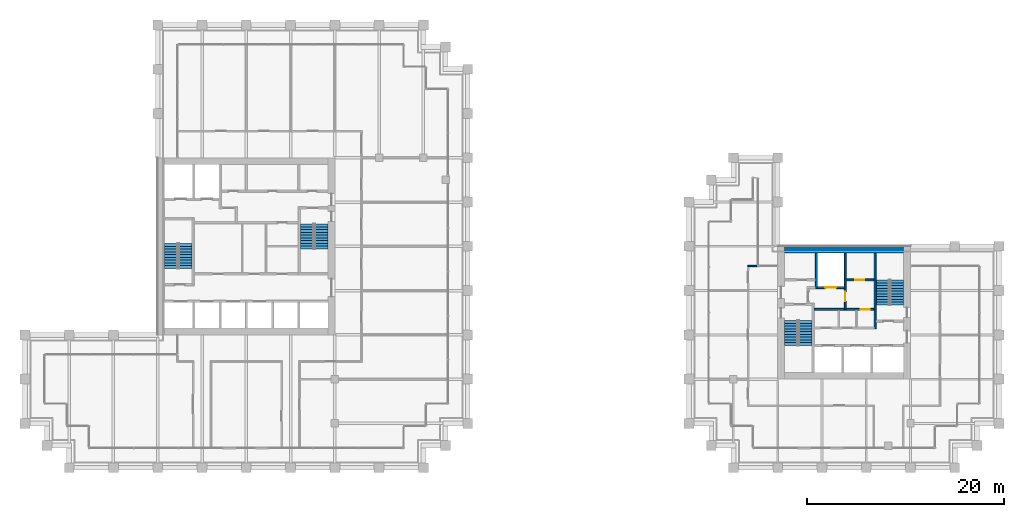
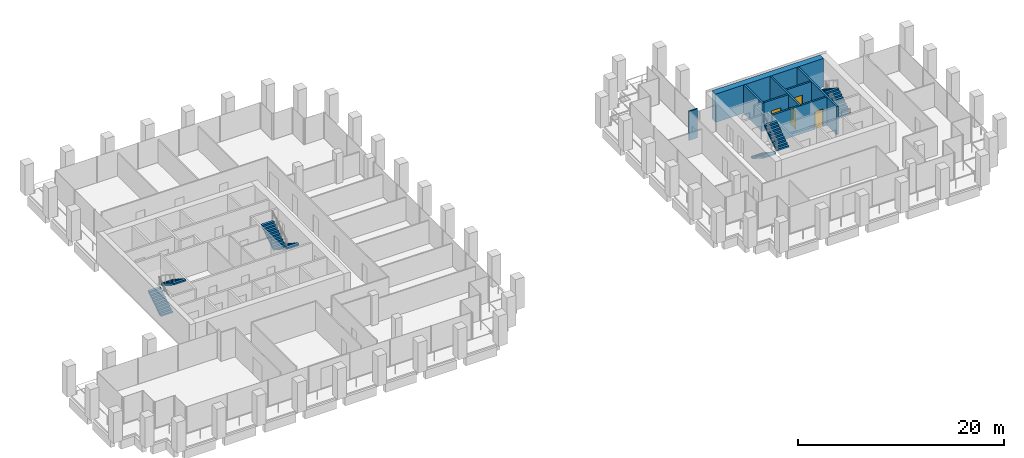
# One storey, part 44 of 46: 8 stair flights, 8 walls, 4 doors, 4 openings, 4 elements without a shape of their own.
"""IFC4 building model written with IfcOpenShell, lengths in metres."""

import ifcopenshell
import ifcopenshell.guid

model = None  # the IFC model being written
_history = None  # IfcOwnerHistory: only IFC2X3 demands one
_inside = {}  # id of a spatial element -> (the spatial element, [elements in it])
_under = {}  # id of a project, library or spatial element -> (it, [spatial elements below it])
_declared = {}  # id of a project -> (the project, [libraries it declares])
_typed = {}  # id of a type object -> (the type object, [elements of that type])
_made_of = {}  # id of a material, layer set ... -> (it, [elements and type objects made of it])


def new_model(schema):
    """Start an empty IFC model of exactly this schema.

    Asked for "IFC4X3", IfcOpenShell would pick the latest addendum, in which some entities
    have other attributes; the version numbers below select the first issue.
    IFC2X3 requires an IfcOwnerHistory on every rooted entity: one is made here for all.
    """
    global model, _history
    if schema == "IFC4X3":
        model = ifcopenshell.file(schema_version=(4, 3, 0, 0))
    else:
        model = ifcopenshell.file(schema=schema)
    _inside.clear()
    _under.clear()
    _declared.clear()
    _typed.clear()
    _made_of.clear()
    _history = None
    if model.schema == "IFC2X3":
        org = make("IfcOrganization", Name="unknown")
        user = make(
            "IfcPersonAndOrganization",
            ThePerson=make("IfcPerson", FamilyName="unknown"),
            TheOrganization=org,
        )
        app = make(
            "IfcApplication",
            ApplicationDeveloper=org,
            Version="unknown",
            ApplicationFullName="unknown",
            ApplicationIdentifier="unknown",
        )
        _history = make(
            "IfcOwnerHistory",
            OwningUser=user,
            OwningApplication=app,
            ChangeAction="ADDED",
            CreationDate=0,
        )
    return model


def make(cls, **values):
    """One entity of the class cls with the attributes given. An attribute that is None is left unset."""
    return model.create_entity(
        cls, **{name: value for name, value in values.items() if value is not None}
    )


def rooted(cls, **values):
    """An entity with a GlobalId (a new one), such as an element, a storey or a relation."""
    return make(cls, GlobalId=ifcopenshell.guid.new(), OwnerHistory=_history, **values)


def si_unit(unit_type, name, prefix=None):
    """IfcSIUnit, for example si_unit("LENGTHUNIT", "METRE", prefix="MILLI")."""
    return make("IfcSIUnit", UnitType=unit_type, Prefix=prefix, Name=name)


def assignment(units):
    """IfcUnitAssignment: the units of a project."""
    return None if units is None else make("IfcUnitAssignment", Units=units)


def point(xyz):
    """IfcCartesianPoint."""
    return None if xyz is None else make("IfcCartesianPoint", Coordinates=xyz)


def direction(xyz):
    """IfcDirection."""
    return None if xyz is None else make("IfcDirection", DirectionRatios=xyz)


def frame(location, z_axis=None, x_axis=None):
    """IfcAxis2Placement3D, a coordinate frame: its origin and axes. An axis left out is left unset."""
    return make(
        "IfcAxis2Placement3D",
        Location=point(location),
        Axis=direction(z_axis),
        RefDirection=direction(x_axis),
    )


def frame_2d(location, x_axis=None):
    """IfcAxis2Placement2D, a coordinate frame in the plane: its origin and x axis."""
    return make(
        "IfcAxis2Placement2D", Location=point(location), RefDirection=direction(x_axis)
    )


def origin():
    """The frame at (0, 0, 0) with its axes left unset."""
    return frame((0.0, 0.0, 0.0))


def place(relative_to, where):
    """IfcLocalPlacement: puts the frame where relative to a parent placement (None: the world)."""
    return make(
        "IfcLocalPlacement", PlacementRelTo=relative_to, RelativePlacement=where
    )


def context(
    kind, dimensions, precision=None, world=None, true_north=None, identifier=None
):
    """IfcGeometricRepresentationContext, for example the 3D "Model" context."""
    return make(
        "IfcGeometricRepresentationContext",
        ContextIdentifier=identifier,
        ContextType=kind,
        CoordinateSpaceDimension=dimensions,
        Precision=precision,
        WorldCoordinateSystem=world,
        TrueNorth=true_north,
    )


def subcontext(parent, identifier, kind, view, scale=None):
    """IfcGeometricRepresentationSubContext, for example "Body" below "Model"."""
    return make(
        "IfcGeometricRepresentationSubContext",
        ContextIdentifier=identifier,
        ContextType=kind,
        ParentContext=parent,
        TargetScale=scale,
        TargetView=view,
    )


def project(units=None, contexts=None):
    """IfcProject with its units and contexts."""
    return rooted(
        "IfcProject",
        Name="project",
        RepresentationContexts=contexts,
        UnitsInContext=assignment(units),
    )


def spatial(cls, under=None, at=None, **own):
    """A site, building, storey or space (cls), placed at a placement, below another one or the project."""
    s = rooted(cls, ObjectPlacement=at, **own)
    if under is not None:
        _under.setdefault(under.id(), (under, []))[1].append(s)
    return s


def polyline(points):
    """IfcPolyline through the points."""
    return make("IfcPolyline", Points=[point(p) for p in points])


def profile(cls, at=None, kind="AREA", **sizes):
    """A parametric profile (cls). Its sizes go by their IFC names, for example OverallWidth=200.0."""
    return make(cls, ProfileType=kind, Position=at, **sizes)


def rectangle(**sizes):
    """IfcRectangleProfileDef."""
    return profile("IfcRectangleProfileDef", **sizes)


def outline(outer, holes=None, kind="AREA"):
    """IfcArbitraryClosedProfileDef: a profile drawn as a closed curve; with holes, ...WithVoids."""
    if holes is None:
        return make("IfcArbitraryClosedProfileDef", ProfileType=kind, OuterCurve=outer)
    return make(
        "IfcArbitraryProfileDefWithVoids",
        ProfileType=kind,
        OuterCurve=outer,
        InnerCurves=holes,
    )


def extrude(swept, where, along, depth):
    """IfcExtrudedAreaSolid: the profile swept, set in the frame where, extruded along a direction by depth."""
    return make(
        "IfcExtrudedAreaSolid",
        SweptArea=swept,
        Position=where,
        ExtrudedDirection=direction(along),
        Depth=depth,
    )


def shape(context_of_items, identifier, shape_type, items):
    """IfcShapeRepresentation: the items that make up one representation, for example the "Body"."""
    return make(
        "IfcShapeRepresentation",
        ContextOfItems=context_of_items,
        RepresentationIdentifier=identifier,
        RepresentationType=shape_type,
        Items=items,
    )


def material(Name=None, Category=None):
    """IfcMaterial."""
    return make("IfcMaterial", Name=Name, Category=Category)


def layer(
    of_material, thickness, ventilated=None, Name=None, Category=None, Priority=None
):
    """IfcMaterialLayer: one layer of a wall or slab, of a material (None: an air gap)."""
    return make(
        "IfcMaterialLayer",
        Material=of_material,
        LayerThickness=thickness,
        IsVentilated=ventilated,
        Name=Name,
        Category=Category,
        Priority=Priority,
    )


def layer_set(layers, Name=None):
    """IfcMaterialLayerSet."""
    return make("IfcMaterialLayerSet", MaterialLayers=layers, LayerSetName=Name)


def made_of(thing, what):
    """Note that an element or type object is made of a material, layer set ...; save() writes the relation."""
    if what is not None:
        _made_of.setdefault(what.id(), (what, []))[1].append(thing)
    return thing


def type_object(cls, material=None, **own):
    """A type object (cls), such as IfcWallType, which elements share."""
    return made_of(rooted(cls, **own), material)


def element(
    cls,
    number,
    at=None,
    inside=None,
    cuts=None,
    type_object=None,
    material=None,
    context=None,
    identifier="Body",
    shape_type=None,
    held_by="IfcProductDefinitionShape",
    body=None,
    shapes=None,
    **own,
):
    """One element of the class cls, such as IfcWall. Its Tag is "e" and its number.

    at: its placement. inside: the storey or other place that contains it. cuts: it is an
    opening in that element (IfcRelVoidsElement). A single representation is given by context,
    identifier, shape_type and body (its items); several are given by shapes. held_by: the class
    of the entity that holds the representations. save() writes the other relations.
    """
    e = rooted(cls, Tag="e%d" % number, ObjectPlacement=at, **own)
    if body is not None:
        shapes = [shape(context, identifier, shape_type, body)]
    if shapes is not None:
        e.Representation = make(held_by, Representations=shapes)
    if inside is not None:
        _inside.setdefault(inside.id(), (inside, []))[1].append(e)
    if cuts is not None:
        rooted(
            "IfcRelVoidsElement", RelatingBuildingElement=cuts, RelatedOpeningElement=e
        )
    if type_object is not None:
        _typed.setdefault(type_object.id(), (type_object, []))[1].append(e)
    return made_of(e, material)


def fill(opening, filler):
    """IfcRelFillsElement: the door or window that sits in an opening."""
    return rooted(
        "IfcRelFillsElement",
        RelatingOpeningElement=opening,
        RelatedBuildingElement=filler,
    )


def aggregate(whole, parts):
    """IfcRelAggregates: a whole, such as a stair, and the parts it consists of."""
    return rooted("IfcRelAggregates", RelatingObject=whole, RelatedObjects=parts)


def save(model, path):
    """Write the relations noted so far, then the file.

    IfcRelAggregates (storeys below a building ...), IfcRelContainedInSpatialStructure (elements
    in a storey), IfcRelDefinesByType, IfcRelAssociatesMaterial and IfcRelDeclares: one each for
    every whole, place, type object, material and project.
    """
    for whole, parts in _under.values():
        aggregate(whole, parts)
    for where, things in _inside.values():
        rooted(
            "IfcRelContainedInSpatialStructure",
            RelatedElements=things,
            RelatingStructure=where,
        )
    for kind, things in _typed.values():
        rooted("IfcRelDefinesByType", RelatedObjects=things, RelatingType=kind)
    for what, things in _made_of.values():
        rooted("IfcRelAssociatesMaterial", RelatedObjects=things, RelatingMaterial=what)
    for by, libraries in _declared.values():
        rooted("IfcRelDeclares", RelatingContext=by, RelatedDefinitions=libraries)
    model.write(path)


model = new_model("IFC4")

# Units and contexts
model_context = context("Model", 3, precision=1e-05, world=origin(), true_north=direction((0.0, 1.0)))
body_context = subcontext(model_context, "Body", "Model", "MODEL_VIEW")
ifc_project = project(units=[si_unit("LENGTHUNIT", "METRE"), si_unit("AREAUNIT", "SQUARE_METRE"), si_unit("VOLUMEUNIT", "CUBIC_METRE"), si_unit("PLANEANGLEUNIT", "RADIAN"), si_unit("MASSUNIT", "GRAM", prefix="KILO")], contexts=[model_context])

# Site, building, storey
site_placement = place(None, origin())
site = spatial("IfcSite", under=ifc_project, at=site_placement, CompositionType="ELEMENT")
building_placement = place(site_placement, origin())
building = spatial("IfcBuilding", under=site, at=building_placement, Name="Altepetl Exchange Towers", CompositionType="ELEMENT")
storey_placement = place(building_placement, frame((0.0, 0.0, 131.60009765625)))
storey = spatial("IfcBuildingStorey", under=building, at=storey_placement, Name="L32", CompositionType="ELEMENT", Elevation=131.60009765625)

# Wall
ifc_material_1 = material(Name="Concrete C70/85", Category="concrete")
ifc_layer_1 = layer(ifc_material_1, 0.699951171875)
ifc_layer_set_1 = layer_set([ifc_layer_1], Name="Concrete C70/85")
wall_type_1 = type_object("IfcWallType", Name="Core wall 700 reinforced concrete external", PredefinedType="SHEAR", material=ifc_layer_set_1)
wall_1_placement = place(storey_placement, frame((104.199951171875, 49.14990234375, 0.0)))
element("IfcWall", 1, at=wall_1_placement, inside=storey, type_object=wall_type_1, Name="wall:B:L32:K-coreN", PredefinedType="SHEAR", context=body_context, shape_type="SweptSolid", body=[
    extrude(rectangle(XDim=12.10009765625, YDim=0.699951171875, at=frame_2d((6.050048828125, 0.0))), origin(), (0.0, 0.0, 1.0), 3.349853515625),
])

# Wall, opening, door
ifc_material_2 = material(Name="Concrete blockwork", Category="masonry")
ifc_layer_2 = layer(ifc_material_2, 0.199951171875)
ifc_layer_set_2 = layer_set([ifc_layer_2], Name="Concrete blockwork")
wall_type_2 = type_object("IfcWallType", Name="Lobby wall 200 blockwork", PredefinedType="PARTITIONING", material=ifc_layer_set_2)
wall_2_placement = place(storey_placement, frame((107.199951171875, 43.10009765625, 0.0)))
wall_2 = element("IfcWall", 2, at=wall_2_placement, inside=storey, type_object=wall_type_2, Name="wall:B:L32:K-zoneN", PredefinedType="PARTITIONING", context=body_context, shape_type="SweptSolid", body=[
    extrude(rectangle(XDim=6.10009765625, YDim=0.199951171875, at=frame_2d((3.050048828125, 0.0))), origin(), (0.0, 0.0, 1.0), 3.349853515625),
])
opening_1_placement = place(wall_2_placement, frame((4.75, 0.0, 0.0)))
opening_1 = element("IfcOpeningElement", 3, at=opening_1_placement, cuts=wall_2, Name="Opening L32.B72", PredefinedType="OPENING", context=body_context, shape_type="SweptSolid", body=[
    extrude(rectangle(XDim=0.89990234375, YDim=2.10009765625, at=frame_2d((0.449951171875, 1.050048828125))), frame((0.0, 0.10986328125, 0.0), z_axis=(0.0, -1.0, 0.0), x_axis=(1.0, 0.0, 0.0)), (0.0, 0.0, 1.0), 0.219970703125),
])
ifc_material_3 = material(Name="Steel and timber fire door", Category="steel")
door_type_1 = type_object("IfcDoorType", Name="Fire door 900 x 2100 service room", OperationType="SINGLE_SWING_LEFT", PredefinedType="DOOR", material=ifc_material_3)
door_1_placement = place(opening_1_placement, frame((0.89990234375, 0.0, 0.0), x_axis=(-1.0, 0.0, 0.0)))
door_1 = element("IfcDoor", 4, at=door_1_placement, inside=storey, type_object=door_type_1, Name="door:B:L32:K-dz3", OperationType="SINGLE_SWING_RIGHT", OverallHeight=2.10009765625, OverallWidth=0.89990234375, PredefinedType="DOOR", context=body_context, shape_type="SweptSolid", body=[
    extrude(rectangle(XDim=0.89990234375, YDim=2.10009765625, at=frame_2d((0.449951171875, 1.050048828125))), frame((0.0, 0.02490234375, 0.0), z_axis=(0.0, -1.0, 0.0), x_axis=(1.0, 0.0, 0.0)), (0.0, 0.0, 1.0), 0.050048828125),
])
fill(opening_1, door_1)

# Walls
ifc_material_4 = material(Name="Gypsum board on steel studs", Category="steel")
ifc_layer_3 = layer(ifc_material_4, 0.125)
ifc_layer_set_3 = layer_set([ifc_layer_3], Name="Gypsum board on steel studs")
wall_type_3 = type_object("IfcWallType", Name="Partition 125 gypsum board on steel studs", PredefinedType="PARTITIONING", material=ifc_layer_set_3)
wall_3_placement = place(storey_placement, frame((100.4375, 47.5, 0.0)))
element("IfcWall", 5, at=wall_3_placement, inside=storey, type_object=wall_type_3, Name="wall:B:L32:P07", PredefinedType="PARTITIONING", context=body_context, shape_type="SweptSolid", body=[
    extrude(rectangle(XDim=0.96240234375, YDim=0.125, at=frame_2d((0.481201171875, 0.0))), origin(), (0.0, 0.0, 1.0), 3.449951171875),
])
ifc_material_5 = material(Name="Concrete C40/50", Category="concrete")
ifc_layer_4 = layer(ifc_material_5, 0.199951171875)
ifc_layer_set_4 = layer_set([ifc_layer_4], Name="Concrete C40/50")
wall_type_4 = type_object("IfcWallType", Name="Shaft wall 200 reinforced concrete", PredefinedType="SHEAR", material=ifc_layer_set_4)
wall_4_placement = place(storey_placement, frame((107.433349609375, 48.800048828125, 0.0), z_axis=(0.0, 0.0, 1.0), x_axis=(0.0, -1.0, 0.0)))
element("IfcWall", 6, at=wall_4_placement, inside=storey, type_object=wall_type_4, Name="wall:B:L32:K-divN1", PredefinedType="SHEAR", context=body_context, shape_type="SweptSolid", body=[
    extrude(rectangle(XDim=3.60009765625, YDim=0.199951171875, at=frame_2d((1.800048828125, 0.0))), origin(), (0.0, 0.0, 1.0), 3.349853515625),
])

# Wall, opening, door
wall_5_placement = place(storey_placement, frame((110.36669921875, 48.800048828125, 0.0), z_axis=(0.0, 0.0, 1.0), x_axis=(0.0, -1.0, 0.0)))
wall_5 = element("IfcWall", 7, at=wall_5_placement, inside=storey, type_object=wall_type_4, Name="wall:B:L32:K-divN2", PredefinedType="SHEAR", context=body_context, shape_type="SweptSolid", body=[
    extrude(rectangle(XDim=5.699951171875, YDim=0.199951171875, at=frame_2d((2.85009765625, 0.0))), origin(), (0.0, 0.0, 1.0), 3.349853515625),
])
opening_2_placement = place(wall_5_placement, frame((3.89990234375, 0.0, 0.0)))
opening_2 = element("IfcOpeningElement", 8, at=opening_2_placement, cuts=wall_5, Name="Opening L32.B66", PredefinedType="OPENING", context=body_context, shape_type="SweptSolid", body=[
    extrude(rectangle(XDim=1.0, YDim=2.10009765625, at=frame_2d((0.5, 1.050048828125))), frame((0.0, 0.10986328125, 0.0), z_axis=(0.0, -1.0, 0.0), x_axis=(1.0, 0.0, 0.0)), (0.0, 0.0, 1.0), 0.219970703125),
])
door_type_2 = type_object("IfcDoorType", Name="Fire door 1000 x 2100 stair and lobby", OperationType="SINGLE_SWING_LEFT", PredefinedType="DOOR", material=ifc_material_3)
door_2_placement = place(opening_2_placement, frame((1.0, 0.0, 0.0), x_axis=(-1.0, 0.0, 0.0)))
door_2 = element("IfcDoor", 9, at=door_2_placement, inside=storey, type_object=door_type_2, Name="door:B:L32:K-dffE", OperationType="SINGLE_SWING_RIGHT", OverallHeight=2.10009765625, OverallWidth=1.0, PredefinedType="DOOR", context=body_context, shape_type="SweptSolid", body=[
    extrude(rectangle(XDim=1.0, YDim=2.10009765625, at=frame_2d((0.5, 1.050048828125))), frame((0.0, 0.02490234375, 0.0), z_axis=(0.0, -1.0, 0.0), x_axis=(1.0, 0.0, 0.0)), (0.0, 0.0, 1.0), 0.050048828125),
])
fill(opening_2, door_2)

wall_6_placement = place(storey_placement, frame((110.466796875, 46.10009765625, 0.0)))
wall_6 = element("IfcWall", 10, at=wall_6_placement, inside=storey, type_object=wall_type_4, Name="wall:B:L32:K-frontNb", PredefinedType="SHEAR", context=body_context, shape_type="SweptSolid", body=[
    extrude(rectangle(XDim=2.833251953125, YDim=0.199951171875, at=frame_2d((1.41650390625, 0.0))), origin(), (0.0, 0.0, 1.0), 3.349853515625),
])
opening_3_placement = place(wall_6_placement, frame((0.91650390625, 0.0, 0.0)))
opening_3 = element("IfcOpeningElement", 11, at=opening_3_placement, cuts=wall_6, Name="Opening L32.B69", PredefinedType="OPENING", context=body_context, shape_type="SweptSolid", body=[
    extrude(rectangle(XDim=0.89990234375, YDim=2.10009765625, at=frame_2d((0.449951171875, 1.050048828125))), frame((0.0, 0.10986328125, 0.0), z_axis=(0.0, -1.0, 0.0), x_axis=(1.0, 0.0, 0.0)), (0.0, 0.0, 1.0), 0.219970703125),
])
door_3_placement = place(opening_3_placement, origin())
door_3 = element("IfcDoor", 12, at=door_3_placement, inside=storey, type_object=door_type_1, Name="door:B:L32:K-dslotN2", OperationType="SINGLE_SWING_RIGHT", OverallHeight=2.10009765625, OverallWidth=0.89990234375, PredefinedType="DOOR", context=body_context, shape_type="SweptSolid", body=[
    extrude(rectangle(XDim=0.89990234375, YDim=2.10009765625, at=frame_2d((0.449951171875, 1.050048828125))), frame((0.0, 0.02490234375, 0.0), z_axis=(0.0, -1.0, 0.0), x_axis=(1.0, 0.0, 0.0)), (0.0, 0.0, 1.0), 0.050048828125),
])
fill(opening_3, door_3)

wall_7_placement = place(storey_placement, frame((107.533203125, 45.300048828125, 0.0)))
wall_7 = element("IfcWall", 13, at=wall_7_placement, inside=storey, type_object=wall_type_4, Name="wall:B:L32:K-frontNd", PredefinedType="SHEAR", context=body_context, shape_type="SweptSolid", body=[
    extrude(rectangle(XDim=2.7333984375, YDim=0.199951171875, at=frame_2d((1.36669921875, 0.0))), origin(), (0.0, 0.0, 1.0), 3.349853515625),
])
opening_4_placement = place(wall_7_placement, frame((0.816650390625, 0.0, 0.0)))
opening_4 = element("IfcOpeningElement", 14, at=opening_4_placement, cuts=wall_7, Name="Opening L32.B73", PredefinedType="OPENING", context=body_context, shape_type="SweptSolid", body=[
    extrude(rectangle(XDim=1.10009765625, YDim=2.10009765625, at=frame_2d((0.550048828125, 1.050048828125))), frame((0.0, 0.10986328125, 0.0), z_axis=(0.0, -1.0, 0.0), x_axis=(1.0, 0.0, 0.0)), (0.0, 0.0, 1.0), 0.219970703125),
])
ifc_material_6 = material(Name="Stainless steel", Category="steel")
door_type_3 = type_object("IfcDoorType", Name="Lift landing door 1100 x 2100", OperationType="SLIDING_TO_LEFT", PredefinedType="DOOR", material=ifc_material_6)
door_4_placement = place(opening_4_placement, origin())
door_4 = element("IfcDoor", 15, at=door_4_placement, inside=storey, type_object=door_type_3, Name="Landing door FFL1", OperationType="SLIDING_TO_LEFT", OverallHeight=2.10009765625, OverallWidth=1.10009765625, PredefinedType="DOOR", context=body_context, shape_type="SweptSolid", body=[
    extrude(rectangle(XDim=1.10009765625, YDim=2.10009765625, at=frame_2d((0.550048828125, 1.050048828125))), frame((0.0, 0.02490234375, 0.0), z_axis=(0.0, -1.0, 0.0), x_axis=(1.0, 0.0, 0.0)), (0.0, 0.0, 1.0), 0.050048828125),
])
fill(opening_4, door_4)

# Wall
ifc_layer_5 = layer(ifc_material_5, 0.199951171875)
ifc_layer_set_5 = layer_set([ifc_layer_5], Name="Concrete C40/50")
wall_type_5 = type_object("IfcWallType", Name="Stair wall 200 reinforced concrete", PredefinedType="SHEAR", material=ifc_layer_set_5)
wall_8_placement = place(storey_placement, frame((113.39990234375, 41.10009765625, 0.0), z_axis=(0.0, 0.0, 1.0), x_axis=(0.0, 1.0, 0.0)))
element("IfcWall", 16, at=wall_8_placement, inside=storey, type_object=wall_type_5, Name="wall:B:L32:K-stS2W", PredefinedType="SHEAR", context=body_context, shape_type="SweptSolid", body=[
    extrude(rectangle(XDim=7.699951171875, YDim=0.199951171875, at=frame_2d((3.85009765625, 0.0))), origin(), (0.0, 0.0, 1.0), 3.349853515625),
])

# Stair, stair flights
stair_type = type_object("IfcStairType", Name="Exit stair 1350 flights dogleg", PredefinedType="HALF_TURN_STAIR", material=ifc_material_5)
stair_1_placement = place(storey_placement, origin())
stair_1 = element("IfcStair", 17, at=stair_1_placement, inside=storey, type_object=stair_type, Name="Exit stair 1", PredefinedType="HALF_TURN_STAIR")
stair_flight_type = type_object("IfcStairFlightType", Name="Stair flight 1350 wide", PredefinedType="STRAIGHT", material=ifc_material_5)
stair_flight_1_placement = place(storey_placement, frame((41.875, 47.25, 0.0), z_axis=(0.0, 0.0, 1.0), x_axis=(0.0, 1.0, 0.0)))
stair_flight_1 = element("IfcStairFlight", 18, at=stair_flight_1_placement, type_object=stair_flight_type, Name="ST-A1d flight 1", NumberOfRisers=10, NumberOfTreads=9, PredefinedType="STRAIGHT", RiserHeight=0.18, TreadLength=0.28, context=body_context, shape_type="SweptSolid", body=[
    extrude(outline(polyline([(0.0, 0.0), (0.0, 0.179931640625), (0.280029296875, 0.179931640625), (0.280029296875, 0.360107421875), (0.56005859375, 0.360107421875), (0.56005859375, 0.5400390625), (0.840087890625, 0.5400390625), (0.840087890625, 0.719970703125), (1.1201171875, 0.719970703125), (1.1201171875, 0.89990234375), (1.39990234375, 0.89990234375), (1.39990234375, 1.080078125), (1.679931640625, 1.080078125), (1.679931640625, 1.260009765625), (1.9599609375, 1.260009765625), (1.9599609375, 1.43994140625), (2.239990234375, 1.43994140625), (2.239990234375, 1.6201171875), (2.52001953125, 1.6201171875), (2.52001953125, 1.800048828125), (2.52001953125, 1.44189453125), (0.277099609375, 0.0), (0.0, 0.0)])), frame((0.0, 0.675048828125, 0.0), z_axis=(0.0, -1.0, 0.0), x_axis=(1.0, 0.0, 0.0)), (0.0, 0.0, 1.0), 1.35009765625),
])
stair_flight_2_placement = place(storey_placement, frame((43.324951171875, 49.77001953125, 1.7998046875), z_axis=(0.0, 0.0, 1.0), x_axis=(0.0, -1.0, 0.0)))
stair_flight_2 = element("IfcStairFlight", 19, at=stair_flight_2_placement, type_object=stair_flight_type, Name="ST-A1d flight 2", NumberOfRisers=10, NumberOfTreads=9, PredefinedType="STRAIGHT", RiserHeight=0.18, TreadLength=0.28, context=body_context, shape_type="SweptSolid", body=[
    extrude(outline(polyline([(0.0, 0.0), (0.0, 0.179931640625), (0.280029296875, 0.179931640625), (0.280029296875, 0.360107421875), (0.56005859375, 0.360107421875), (0.56005859375, 0.5400390625), (0.840087890625, 0.5400390625), (0.840087890625, 0.719970703125), (1.1201171875, 0.719970703125), (1.1201171875, 0.89990234375), (1.39990234375, 0.89990234375), (1.39990234375, 1.080078125), (1.679931640625, 1.080078125), (1.679931640625, 1.260009765625), (1.9599609375, 1.260009765625), (1.9599609375, 1.43994140625), (2.239990234375, 1.43994140625), (2.239990234375, 1.6201171875), (2.52001953125, 1.6201171875), (2.52001953125, 1.800048828125), (2.52001953125, 1.44189453125), (0.277099609375, 0.0), (0.0, 0.0)])), frame((0.0, 0.675048828125, 0.0), z_axis=(0.0, -1.0, 0.0), x_axis=(1.0, 0.0, 0.0)), (0.0, 0.0, 1.0), 1.35009765625),
])
aggregate(stair_1, [stair_flight_1, stair_flight_2])

stair_2_placement = place(storey_placement, origin())
stair_2 = element("IfcStair", 20, at=stair_2_placement, inside=storey, type_object=stair_type, Name="Exit stair 2", PredefinedType="HALF_TURN_STAIR")
stair_flight_3_placement = place(storey_placement, frame((57.125, 51.75, 0.0), z_axis=(0.0, 0.0, 1.0), x_axis=(0.0, -1.0, 0.0)))
stair_flight_3 = element("IfcStairFlight", 21, at=stair_flight_3_placement, type_object=stair_flight_type, Name="ST-A2d flight 1", NumberOfRisers=10, NumberOfTreads=9, PredefinedType="STRAIGHT", RiserHeight=0.18, TreadLength=0.28, context=body_context, shape_type="SweptSolid", body=[
    extrude(outline(polyline([(0.0, 0.0), (0.0, 0.179931640625), (0.280029296875, 0.179931640625), (0.280029296875, 0.360107421875), (0.56005859375, 0.360107421875), (0.56005859375, 0.5400390625), (0.840087890625, 0.5400390625), (0.840087890625, 0.719970703125), (1.1201171875, 0.719970703125), (1.1201171875, 0.89990234375), (1.39990234375, 0.89990234375), (1.39990234375, 1.080078125), (1.679931640625, 1.080078125), (1.679931640625, 1.260009765625), (1.9599609375, 1.260009765625), (1.9599609375, 1.43994140625), (2.239990234375, 1.43994140625), (2.239990234375, 1.6201171875), (2.52001953125, 1.6201171875), (2.52001953125, 1.800048828125), (2.52001953125, 1.44189453125), (0.277099609375, 0.0), (0.0, 0.0)])), frame((0.0, 0.675048828125, 0.0), z_axis=(0.0, -1.0, 0.0), x_axis=(1.0, 0.0, 0.0)), (0.0, 0.0, 1.0), 1.35009765625),
])
stair_flight_4_placement = place(storey_placement, frame((55.675048828125, 49.22998046875, 1.7998046875), z_axis=(0.0, 0.0, 1.0), x_axis=(0.0, 1.0, 0.0)))
stair_flight_4 = element("IfcStairFlight", 22, at=stair_flight_4_placement, type_object=stair_flight_type, Name="ST-A2d flight 2", NumberOfRisers=10, NumberOfTreads=9, PredefinedType="STRAIGHT", RiserHeight=0.18, TreadLength=0.28, context=body_context, shape_type="SweptSolid", body=[
    extrude(outline(polyline([(0.0, 0.0), (0.0, 0.179931640625), (0.280029296875, 0.179931640625), (0.280029296875, 0.360107421875), (0.56005859375, 0.360107421875), (0.56005859375, 0.5400390625), (0.840087890625, 0.5400390625), (0.840087890625, 0.719970703125), (1.1201171875, 0.719970703125), (1.1201171875, 0.89990234375), (1.39990234375, 0.89990234375), (1.39990234375, 1.080078125), (1.679931640625, 1.080078125), (1.679931640625, 1.260009765625), (1.9599609375, 1.260009765625), (1.9599609375, 1.43994140625), (2.239990234375, 1.43994140625), (2.239990234375, 1.6201171875), (2.52001953125, 1.6201171875), (2.52001953125, 1.800048828125), (2.52001953125, 1.44189453125), (0.277099609375, 0.0), (0.0, 0.0)])), frame((0.0, 0.675048828125, 0.0), z_axis=(0.0, -1.0, 0.0), x_axis=(1.0, 0.0, 0.0)), (0.0, 0.0, 1.0), 1.35009765625),
])
aggregate(stair_2, [stair_flight_3, stair_flight_4])

stair_3_placement = place(storey_placement, origin())
stair_3 = element("IfcStair", 23, at=stair_3_placement, inside=storey, type_object=stair_type, Name="Exit stair 1", PredefinedType="HALF_TURN_STAIR")
stair_flight_5_placement = place(storey_placement, frame((104.875, 41.949951171875, 0.0), z_axis=(0.0, 0.0, 1.0), x_axis=(0.0, -1.0, 0.0)))
stair_flight_5 = element("IfcStairFlight", 24, at=stair_flight_5_placement, type_object=stair_flight_type, Name="ST-B1d flight 1", NumberOfRisers=10, NumberOfTreads=9, PredefinedType="STRAIGHT", RiserHeight=0.18, TreadLength=0.28, context=body_context, shape_type="SweptSolid", body=[
    extrude(outline(polyline([(0.0, 0.0), (0.0, 0.179931640625), (0.280029296875, 0.179931640625), (0.280029296875, 0.360107421875), (0.56005859375, 0.360107421875), (0.56005859375, 0.5400390625), (0.840087890625, 0.5400390625), (0.840087890625, 0.719970703125), (1.1201171875, 0.719970703125), (1.1201171875, 0.89990234375), (1.39990234375, 0.89990234375), (1.39990234375, 1.080078125), (1.679931640625, 1.080078125), (1.679931640625, 1.260009765625), (1.9599609375, 1.260009765625), (1.9599609375, 1.43994140625), (2.239990234375, 1.43994140625), (2.239990234375, 1.6201171875), (2.52001953125, 1.6201171875), (2.52001953125, 1.800048828125), (2.52001953125, 1.44189453125), (0.277099609375, 0.0), (0.0, 0.0)])), frame((0.0, 0.675048828125, 0.0), z_axis=(0.0, -1.0, 0.0), x_axis=(1.0, 0.0, 0.0)), (0.0, 0.0, 1.0), 1.35009765625),
])
stair_flight_6_placement = place(storey_placement, frame((106.324951171875, 39.429931640625, 1.7998046875), z_axis=(0.0, 0.0, 1.0), x_axis=(0.0, 1.0, 0.0)))
stair_flight_6 = element("IfcStairFlight", 25, at=stair_flight_6_placement, type_object=stair_flight_type, Name="ST-B1d flight 2", NumberOfRisers=10, NumberOfTreads=9, PredefinedType="STRAIGHT", RiserHeight=0.18, TreadLength=0.28, context=body_context, shape_type="SweptSolid", body=[
    extrude(outline(polyline([(0.0, 0.0), (0.0, 0.179931640625), (0.280029296875, 0.179931640625), (0.280029296875, 0.360107421875), (0.56005859375, 0.360107421875), (0.56005859375, 0.5400390625), (0.840087890625, 0.5400390625), (0.840087890625, 0.719970703125), (1.1201171875, 0.719970703125), (1.1201171875, 0.89990234375), (1.39990234375, 0.89990234375), (1.39990234375, 1.080078125), (1.679931640625, 1.080078125), (1.679931640625, 1.260009765625), (1.9599609375, 1.260009765625), (1.9599609375, 1.43994140625), (2.239990234375, 1.43994140625), (2.239990234375, 1.6201171875), (2.52001953125, 1.6201171875), (2.52001953125, 1.800048828125), (2.52001953125, 1.44189453125), (0.277099609375, 0.0), (0.0, 0.0)])), frame((0.0, 0.675048828125, 0.0), z_axis=(0.0, -1.0, 0.0), x_axis=(1.0, 0.0, 0.0)), (0.0, 0.0, 1.0), 1.35009765625),
])
aggregate(stair_3, [stair_flight_5, stair_flight_6])

stair_4_placement = place(storey_placement, origin())
stair_4 = element("IfcStair", 26, at=stair_4_placement, inside=storey, type_object=stair_type, Name="Exit stair 2", PredefinedType="HALF_TURN_STAIR")
stair_flight_7_placement = place(storey_placement, frame((115.625, 43.550048828125, 0.0), z_axis=(0.0, 0.0, 1.0), x_axis=(0.0, 1.0, 0.0)))
stair_flight_7 = element("IfcStairFlight", 27, at=stair_flight_7_placement, type_object=stair_flight_type, Name="ST-B2d flight 1", NumberOfRisers=10, NumberOfTreads=9, PredefinedType="STRAIGHT", RiserHeight=0.18, TreadLength=0.28, context=body_context, shape_type="SweptSolid", body=[
    extrude(outline(polyline([(0.0, 0.0), (0.0, 0.179931640625), (0.280029296875, 0.179931640625), (0.280029296875, 0.360107421875), (0.56005859375, 0.360107421875), (0.56005859375, 0.5400390625), (0.840087890625, 0.5400390625), (0.840087890625, 0.719970703125), (1.1201171875, 0.719970703125), (1.1201171875, 0.89990234375), (1.39990234375, 0.89990234375), (1.39990234375, 1.080078125), (1.679931640625, 1.080078125), (1.679931640625, 1.260009765625), (1.9599609375, 1.260009765625), (1.9599609375, 1.43994140625), (2.239990234375, 1.43994140625), (2.239990234375, 1.6201171875), (2.52001953125, 1.6201171875), (2.52001953125, 1.800048828125), (2.52001953125, 1.44189453125), (0.277099609375, 0.0), (0.0, 0.0)])), frame((0.0, 0.675048828125, 0.0), z_axis=(0.0, -1.0, 0.0), x_axis=(1.0, 0.0, 0.0)), (0.0, 0.0, 1.0), 1.35009765625),
])
stair_flight_8_placement = place(storey_placement, frame((114.175048828125, 46.070068359375, 1.7998046875), z_axis=(0.0, 0.0, 1.0), x_axis=(0.0, -1.0, 0.0)))
stair_flight_8 = element("IfcStairFlight", 28, at=stair_flight_8_placement, type_object=stair_flight_type, Name="ST-B2d flight 2", NumberOfRisers=10, NumberOfTreads=9, PredefinedType="STRAIGHT", RiserHeight=0.18, TreadLength=0.28, context=body_context, shape_type="SweptSolid", body=[
    extrude(outline(polyline([(0.0, 0.0), (0.0, 0.179931640625), (0.280029296875, 0.179931640625), (0.280029296875, 0.360107421875), (0.56005859375, 0.360107421875), (0.56005859375, 0.5400390625), (0.840087890625, 0.5400390625), (0.840087890625, 0.719970703125), (1.1201171875, 0.719970703125), (1.1201171875, 0.89990234375), (1.39990234375, 0.89990234375), (1.39990234375, 1.080078125), (1.679931640625, 1.080078125), (1.679931640625, 1.260009765625), (1.9599609375, 1.260009765625), (1.9599609375, 1.43994140625), (2.239990234375, 1.43994140625), (2.239990234375, 1.6201171875), (2.52001953125, 1.6201171875), (2.52001953125, 1.800048828125), (2.52001953125, 1.44189453125), (0.277099609375, 0.0), (0.0, 0.0)])), frame((0.0, 0.675048828125, 0.0), z_axis=(0.0, -1.0, 0.0), x_axis=(1.0, 0.0, 0.0)), (0.0, 0.0, 1.0), 1.35009765625),
])
aggregate(stair_4, [stair_flight_7, stair_flight_8])

save(model, "model.ifc")
